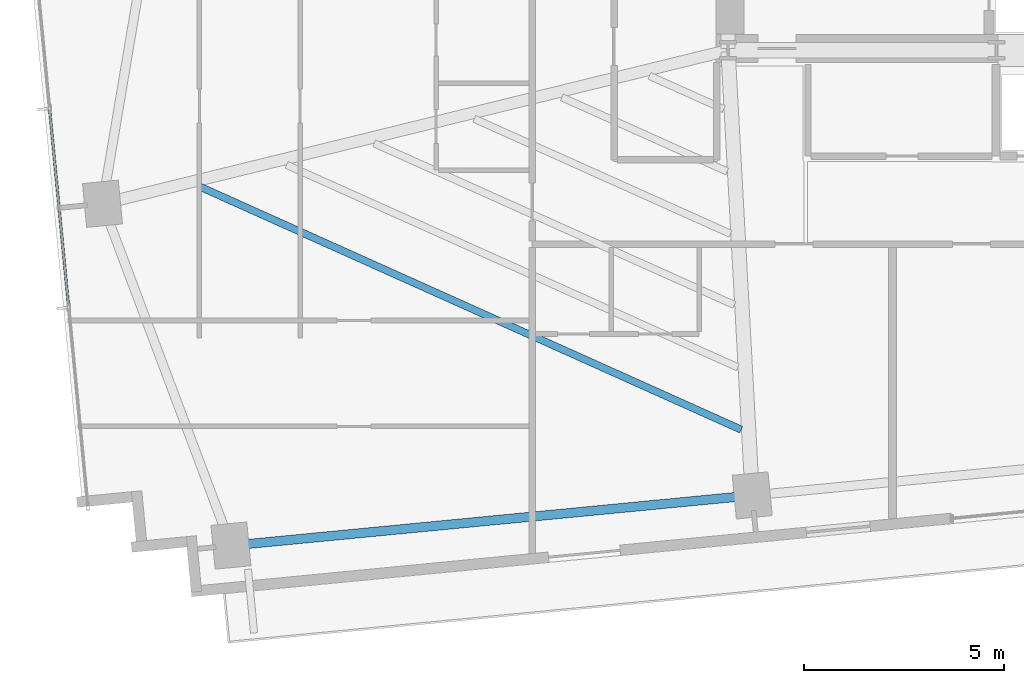
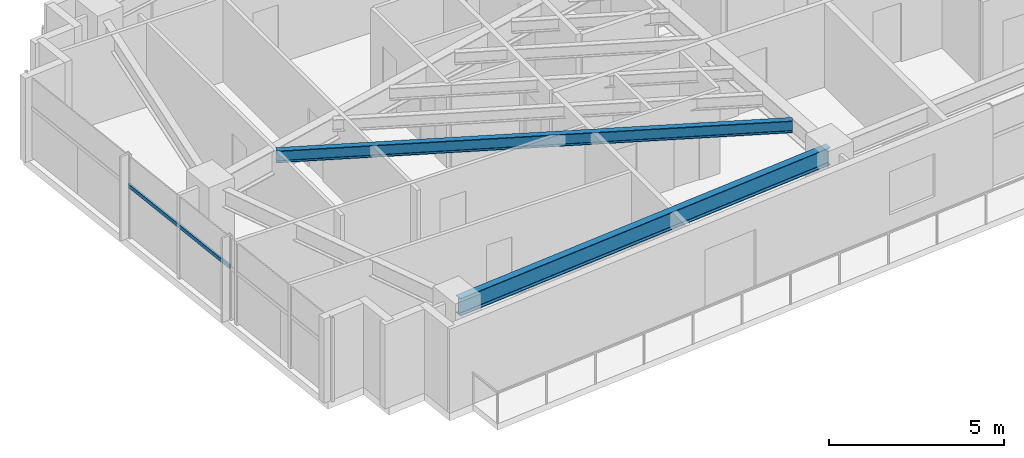
# One storey, part 3 of 25: 2 beams, 1 member, 1 element without a shape of its own.
"""IFC4 building model written with IfcOpenShell, lengths in metres."""

from ifc_helpers import new_model, si_unit, direction, frame, origin, origin_2d, place, context, subcontext, project, spatial, hollow_rectangle, i_section, extrude, source, transform, mapped, material, material_profile, profile_set, type_object, type_shapes, element, aggregate, save


model = new_model("IFC4")

# Units and contexts
model_context = context("Model", 3, precision=1e-05, world=origin(), true_north=direction((0.0, 1.0)))
body_context = subcontext(model_context, "Body", "Model", "MODEL_VIEW")
ifc_project = project(units=[si_unit("LENGTHUNIT", "METRE"), si_unit("AREAUNIT", "SQUARE_METRE"), si_unit("VOLUMEUNIT", "CUBIC_METRE"), si_unit("PLANEANGLEUNIT", "RADIAN"), si_unit("MASSUNIT", "GRAM", prefix="KILO")], contexts=[model_context])

# Site, building, storey
site_placement = place(None, origin())
site = spatial("IfcSite", under=ifc_project, at=site_placement, CompositionType="ELEMENT")
building_placement = place(site_placement, origin())
building = spatial("IfcBuilding", under=site, at=building_placement, Name="Astriad Promenade Condominiums", CompositionType="ELEMENT")
storey_placement = place(building_placement, frame((0.0, 0.0, 103.39990234375)))
storey = spatial("IfcBuildingStorey", under=building, at=storey_placement, Name="L29", CompositionType="ELEMENT", Elevation=103.39990234375)

# Beams
ifc_material_1 = material(Name="Steel ASTM A992 Grade 50", Category="steel")
ifc_material_profile_1 = material_profile(ifc_material_1, i_section(OverallWidth=0.22900390625, OverallDepth=0.612060546875, WebThickness=0.011962890625, FlangeThickness=0.01953125, FilletRadius=0.017822265625, at=origin_2d()), Name="W24X84")
ifc_profile_set_1 = profile_set([ifc_material_profile_1], Name="Steel ASTM A992 Grade 50")
beam_type_1 = type_object("IfcBeamType", Name="STEEL SPANDREL BEAM W24X84", PredefinedType="SPANDREL", material=ifc_profile_set_1)
shared_shape_1 = source(origin(), body_context, "Body", "SweptSolid", [
    extrude(i_section(OverallWidth=0.22900390625, OverallDepth=0.612060546875, WebThickness=0.011962890625, FlangeThickness=0.01953125, FilletRadius=0.017822265625, at=origin_2d()), origin(), (0.0, 0.0, 1.0), 13.02001953125),
])
type_shapes(beam_type_1, [shared_shape_1])
beam_1_placement = place(storey_placement, frame((14.005859375, 5.01318359375, 2.634033203125), z_axis=(0.995395138946, 0.095856754395, 0.0), x_axis=(-0.095856754395, 0.995395138946, 0.0)))
element("IfcBeam", 1, at=beam_1_placement, inside=storey, type_object=beam_type_1, Name="Perimeter Spandrel Beam SP-S1-L29", PredefinedType="SPANDREL", context=body_context, shape_type="MappedRepresentation", body=[
    mapped(shared_shape_1, transform((0.0, 0.0, 0.0), scale=1.0)),
])
ifc_material_profile_2 = material_profile(ifc_material_1, i_section(OverallWidth=0.180908203125, OverallDepth=0.417236328125, WebThickness=0.010986328125, FlangeThickness=0.018310546875, FilletRadius=0.013916015625, at=origin_2d()), Name="W16X57")
ifc_profile_set_2 = profile_set([ifc_material_profile_2], Name="Steel ASTM A992 Grade 50")
beam_type_2 = type_object("IfcBeamType", Name="STEEL FLOOR JOIST W16X57", PredefinedType="JOIST", material=ifc_profile_set_2)
shared_shape_2 = source(origin(), body_context, "Body", "SweptSolid", [
    extrude(i_section(OverallWidth=0.180908203125, OverallDepth=0.417236328125, WebThickness=0.010986328125, FlangeThickness=0.018310546875, FilletRadius=0.013916015625, at=origin_2d()), origin(), (0.0, 0.0, 1.0), 14.863037109375),
])
type_shapes(beam_type_2, [shared_shape_2])
beam_2_placement = place(storey_placement, frame((13.168212890625, 13.996826171875, 2.7314453125), z_axis=(0.912311114602, -0.409497777984, 0.0), x_axis=(0.409497777984, 0.912311114602, 0.0)))
element("IfcBeam", 2, at=beam_2_placement, inside=storey, type_object=beam_type_2, Name="Secondary Composite Floor Joist JW1-1-L29", PredefinedType="JOIST", context=body_context, shape_type="MappedRepresentation", body=[
    mapped(shared_shape_2, transform((0.0, 0.0, 0.0), scale=1.0)),
])

# Curtain wall, member
ifc_material_2 = material(Name="Anodised aluminium Black Dark Glass Unitised", Category="aluminium")
curtain_wall_type = type_object("IfcCurtainWallType", Name="CW-B2-DARK", PredefinedType="USERDEFINED", material=ifc_material_2)
curtain_wall_placement = place(storey_placement, origin())
curtain_wall = element("IfcCurtainWall", 3, at=curtain_wall_placement, inside=storey, type_object=curtain_wall_type, Name="CW-L29-W", ObjectType="UNITISED_CURTAIN_WALL", PredefinedType="USERDEFINED")
ifc_material_3 = material(Name="Anodised aluminium 6063-T6 Black", Category="aluminium")
ifc_material_profile_3 = material_profile(ifc_material_3, hollow_rectangle(XDim=0.06494140625, YDim=0.1298828125, WallThickness=0.00390625, at=origin_2d()), Name="ALU-TRN-65X130")
ifc_profile_set_3 = profile_set([ifc_material_profile_3], Name="Anodised aluminium 6063-T6 Black")
member_type = type_object("IfcMemberType", Name="TRN-ALU-TRN-65X130", PredefinedType="USERDEFINED", material=ifc_profile_set_3)
shared_shape_3 = source(origin(), body_context, "Body", "SweptSolid", [
    extrude(hollow_rectangle(XDim=0.06494140625, YDim=0.1298828125, WallThickness=0.00390625, at=origin_2d()), origin(), (0.0, 0.0, 1.0), 5.0),
])
type_shapes(member_type, [shared_shape_3])
member_placement = place(storey_placement, frame((9.90625, 10.9677734375, 1.822998046875), z_axis=(-0.095848242264, 0.995395958629, 0.0), x_axis=(-0.995395958629, -0.095848242264, 0.0)))
member = element("IfcMember", 4, at=member_placement, type_object=member_type, Name="CW-L29-W-TRN-01-0", ObjectType="TRANSOM", PredefinedType="USERDEFINED", context=body_context, shape_type="MappedRepresentation", body=[
    mapped(shared_shape_3, transform((0.0, 0.0, 0.0), scale=1.0)),
])
aggregate(curtain_wall, [member])

save(model, "model.ifc")
